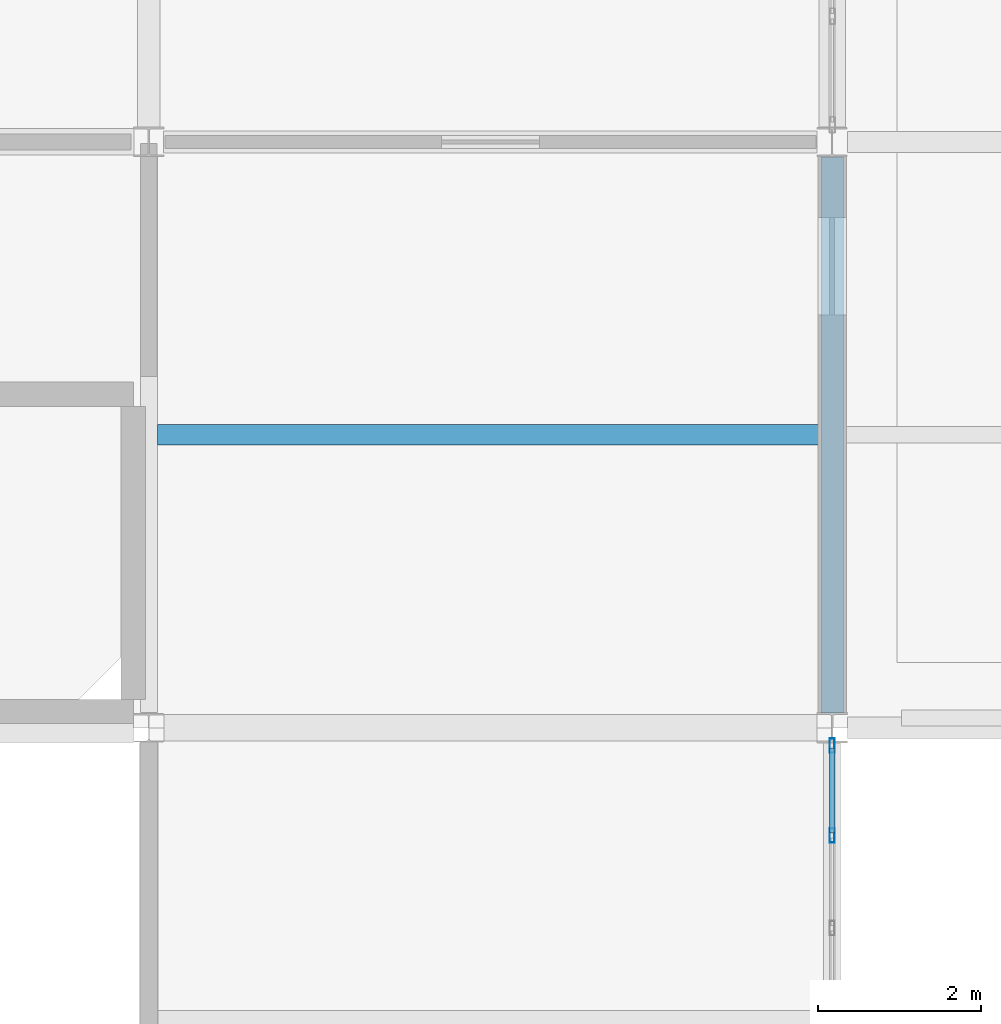
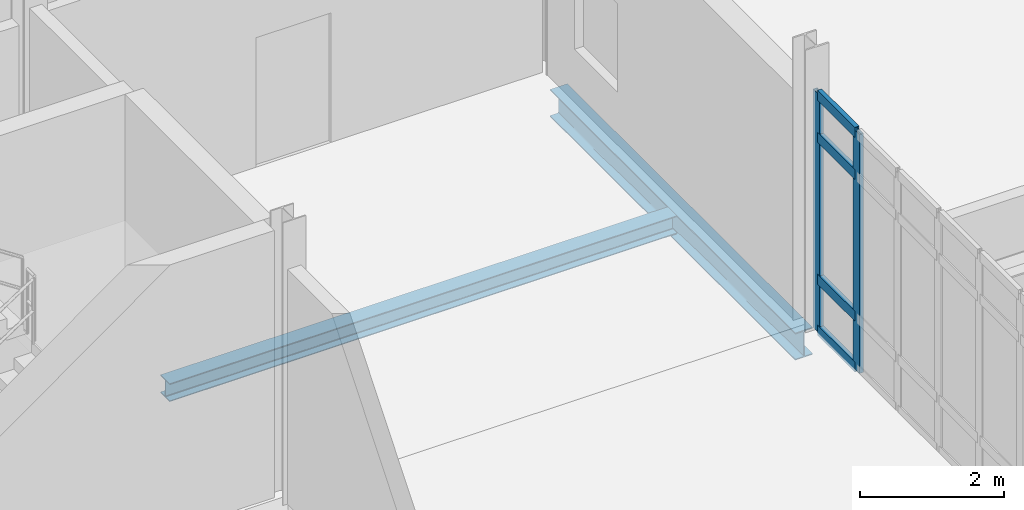
# One storey, part 90 of 186: 6 members, 2 beams, 1 element without a shape of its own.
"""IFC4 building model written with IfcOpenShell, lengths in metres."""

from ifc_helpers import new_model, si_unit, direction, frame, origin, origin_2d, place, context, subcontext, project, spatial, hollow_rectangle, i_section, extrude, material, layer, layer_set, material_profile, profile_set, type_object, element, aggregate, save


model = new_model("IFC4")

# Units and contexts
model_context = context("Model", 3, precision=1e-05, world=origin(), true_north=direction((0.0, 1.0)))
body_context = subcontext(model_context, "Body", "Model", "MODEL_VIEW")
ifc_project = project(units=[si_unit("LENGTHUNIT", "METRE"), si_unit("AREAUNIT", "SQUARE_METRE"), si_unit("VOLUMEUNIT", "CUBIC_METRE"), si_unit("PLANEANGLEUNIT", "RADIAN"), si_unit("MASSUNIT", "GRAM", prefix="KILO")], contexts=[model_context])

# Site, building, storey
site_placement = place(None, origin())
site = spatial("IfcSite", under=ifc_project, at=site_placement, CompositionType="ELEMENT")
building_placement = place(site_placement, origin())
building = spatial("IfcBuilding", under=site, at=building_placement, Name="Calvrana Isthmian Art Gallery", CompositionType="ELEMENT")
storey_placement = place(building_placement, frame((0.0, 0.0, 5.39990234375)))
storey = spatial("IfcBuildingStorey", under=building, at=storey_placement, Name="L01", CompositionType="ELEMENT", Elevation=5.39990234375)

# Beams
ifc_material_1 = material(Name="Steel ASTM A992 Gr 50", Category="steel")
ifc_material_profile_1 = material_profile(ifc_material_1, i_section(OverallWidth=0.279052734375, OverallDepth=0.4619140625, WebThickness=0.0107421875, FlangeThickness=0.017333984375, FilletRadius=0.02001953125, at=origin_2d()), Name="W18X76")
ifc_profile_set_1 = profile_set([ifc_material_profile_1], Name="Steel ASTM A992 Gr 50")
beam_type_1 = type_object("IfcBeamType", Name="BM-G-W18X76", PredefinedType="BEAM", material=ifc_profile_set_1)
beam_1_placement = place(storey_placement, frame((63.60009765625, 98.583984375, -0.475830078125), z_axis=(0.0, 1.0, 0.0), x_axis=(-1.0, 0.0, 0.0)))
element("IfcBeam", 1, at=beam_1_placement, inside=storey, type_object=beam_type_1, Name="Girder Y L01 09/N-O", PredefinedType="BEAM", context=body_context, shape_type="SweptSolid", body=[
    extrude(i_section(OverallWidth=0.279052734375, OverallDepth=0.4619140625, WebThickness=0.0107421875, FlangeThickness=0.017333984375, FilletRadius=0.02001953125, at=origin_2d()), origin(), (0.0, 0.0, 1.0), 6.82958984375),
])
ifc_material_profile_2 = material_profile(ifc_material_1, i_section(OverallWidth=0.25390625, OverallDepth=0.306884765625, WebThickness=0.0087890625, FlangeThickness=0.0146484375, FilletRadius=0.01611328125, at=origin_2d()), Name="W12X53")
ifc_profile_set_2 = profile_set([ifc_material_profile_2], Name="Steel ASTM A992 Gr 50")
beam_type_2 = type_object("IfcBeamType", Name="BM-J-W12X53", PredefinedType="JOIST", material=ifc_profile_set_2)
beam_2_placement = place(storey_placement, frame((55.304443359375, 102.0, -0.3984375), z_axis=(1.0, 0.0, 0.0), x_axis=(0.0, 1.0, 0.0)))
element("IfcBeam", 2, at=beam_2_placement, inside=storey, type_object=beam_type_2, Name="Composite joist L01 bay 07-13", PredefinedType="JOIST", context=body_context, shape_type="SweptSolid", body=[
    extrude(i_section(OverallWidth=0.25390625, OverallDepth=0.306884765625, WebThickness=0.0087890625, FlangeThickness=0.0146484375, FilletRadius=0.01611328125, at=origin_2d()), origin(), (0.0, 0.0, 1.0), 8.156005859375),
])

# Curtain wall, members
ifc_material_2 = material(Name="Anodized bronze aluminium 6063-T6", Category="aluminium")
ifc_layer = layer(ifc_material_2, 0.179931640625, Name="Anodized bronze aluminium 6063-T6")
ifc_layer_set = layer_set([ifc_layer], Name="Anodized bronze aluminium 6063-T6")
curtain_wall_type = type_object("IfcCurtainWallType", Name="CW-STICK-068X41", PredefinedType="NOTDEFINED", material=ifc_layer_set)
curtain_wall_placement = place(storey_placement, origin())
curtain_wall = element("IfcCurtainWall", 3, at=curtain_wall_placement, inside=storey, type_object=curtain_wall_type, Name="Curtain wall CW-128", PredefinedType="NOTDEFINED")
ifc_material_profile_3 = material_profile(ifc_material_2, hollow_rectangle(XDim=0.06494140625, YDim=0.179931640625, WallThickness=0.00439453125, at=origin_2d()), Name="CWM65X180")
ifc_profile_set_3 = profile_set([ifc_material_profile_3], Name="Anodized bronze aluminium 6063-T6")
member_type_1 = type_object("IfcMemberType", Name="CWM-CWM65X180", PredefinedType="MULLION", material=ifc_profile_set_3)
member_1_placement = place(storey_placement, frame((63.60009765625, 98.180908203125, 0.0), z_axis=(0.0, 0.0, 1.0), x_axis=(1.0, 0.0, 0.0)))
member_1 = element("IfcMember", 4, at=member_1_placement, type_object=member_type_1, Name="CW-128 mullion 1", PredefinedType="MULLION", context=body_context, shape_type="SweptSolid", body=[
    extrude(hollow_rectangle(XDim=0.06494140625, YDim=0.179931640625, WallThickness=0.00439453125, at=origin_2d()), origin(), (0.0, 0.0, 1.0), 4.05810546875),
])
member_2_placement = place(storey_placement, frame((63.60009765625, 97.0751953125, 0.0), z_axis=(0.0, 0.0, 1.0), x_axis=(1.0, 0.0, 0.0)))
member_2 = element("IfcMember", 5, at=member_2_placement, type_object=member_type_1, Name="CW-128 mullion 2", PredefinedType="MULLION", context=body_context, shape_type="SweptSolid", body=[
    extrude(hollow_rectangle(XDim=0.06494140625, YDim=0.179931640625, WallThickness=0.00439453125, at=origin_2d()), origin(), (0.0, 0.0, 1.0), 4.05810546875),
])
ifc_material_profile_4 = material_profile(ifc_material_2, hollow_rectangle(XDim=0.070068359375, YDim=0.169921875, WallThickness=0.00439453125, at=origin_2d()), Name="CWT70X170")
ifc_profile_set_4 = profile_set([ifc_material_profile_4], Name="Anodized bronze aluminium 6063-T6")
member_type_2 = type_object("IfcMemberType", Name="CWT-CWT70X170", PredefinedType="USERDEFINED", material=ifc_profile_set_4)
member_3_placement = place(storey_placement, frame((63.60009765625, 98.1484375, 0.03515625), z_axis=(0.0, -1.0, 0.0), x_axis=(1.0, 0.0, 0.0)))
member_3 = element("IfcMember", 6, at=member_3_placement, type_object=member_type_2, Name="CW-128 transom 1.1", ObjectType="TRANSOM", PredefinedType="USERDEFINED", context=body_context, shape_type="SweptSolid", body=[
    extrude(hollow_rectangle(XDim=0.070068359375, YDim=0.169921875, WallThickness=0.00439453125, at=origin_2d()), origin(), (0.0, 0.0, 1.0), 1.040771484375),
])
member_4_placement = place(storey_placement, frame((63.60009765625, 98.1484375, 0.900146484375), z_axis=(0.0, -1.0, 0.0), x_axis=(1.0, 0.0, 0.0)))
member_4 = element("IfcMember", 7, at=member_4_placement, type_object=member_type_2, Name="CW-128 transom 1.2", ObjectType="TRANSOM", PredefinedType="USERDEFINED", context=body_context, shape_type="SweptSolid", body=[
    extrude(hollow_rectangle(XDim=0.070068359375, YDim=0.169921875, WallThickness=0.00439453125, at=origin_2d()), origin(), (0.0, 0.0, 1.0), 1.040771484375),
])
member_5_placement = place(storey_placement, frame((63.60009765625, 98.1484375, 3.30810546875), z_axis=(0.0, -1.0, 0.0), x_axis=(1.0, 0.0, 0.0)))
member_5 = element("IfcMember", 8, at=member_5_placement, type_object=member_type_2, Name="CW-128 transom 1.3", ObjectType="TRANSOM", PredefinedType="USERDEFINED", context=body_context, shape_type="SweptSolid", body=[
    extrude(hollow_rectangle(XDim=0.070068359375, YDim=0.169921875, WallThickness=0.00439453125, at=origin_2d()), origin(), (0.0, 0.0, 1.0), 1.040771484375),
])
member_6_placement = place(storey_placement, frame((63.60009765625, 98.1484375, 4.023193359375), z_axis=(0.0, -1.0, 0.0), x_axis=(1.0, 0.0, 0.0)))
member_6 = element("IfcMember", 9, at=member_6_placement, type_object=member_type_2, Name="CW-128 transom 1.4", ObjectType="TRANSOM", PredefinedType="USERDEFINED", context=body_context, shape_type="SweptSolid", body=[
    extrude(hollow_rectangle(XDim=0.070068359375, YDim=0.169921875, WallThickness=0.00439453125, at=origin_2d()), origin(), (0.0, 0.0, 1.0), 1.040771484375),
])
aggregate(curtain_wall, [member_1, member_2, member_3, member_4, member_5, member_6])

save(model, "model.ifc")
